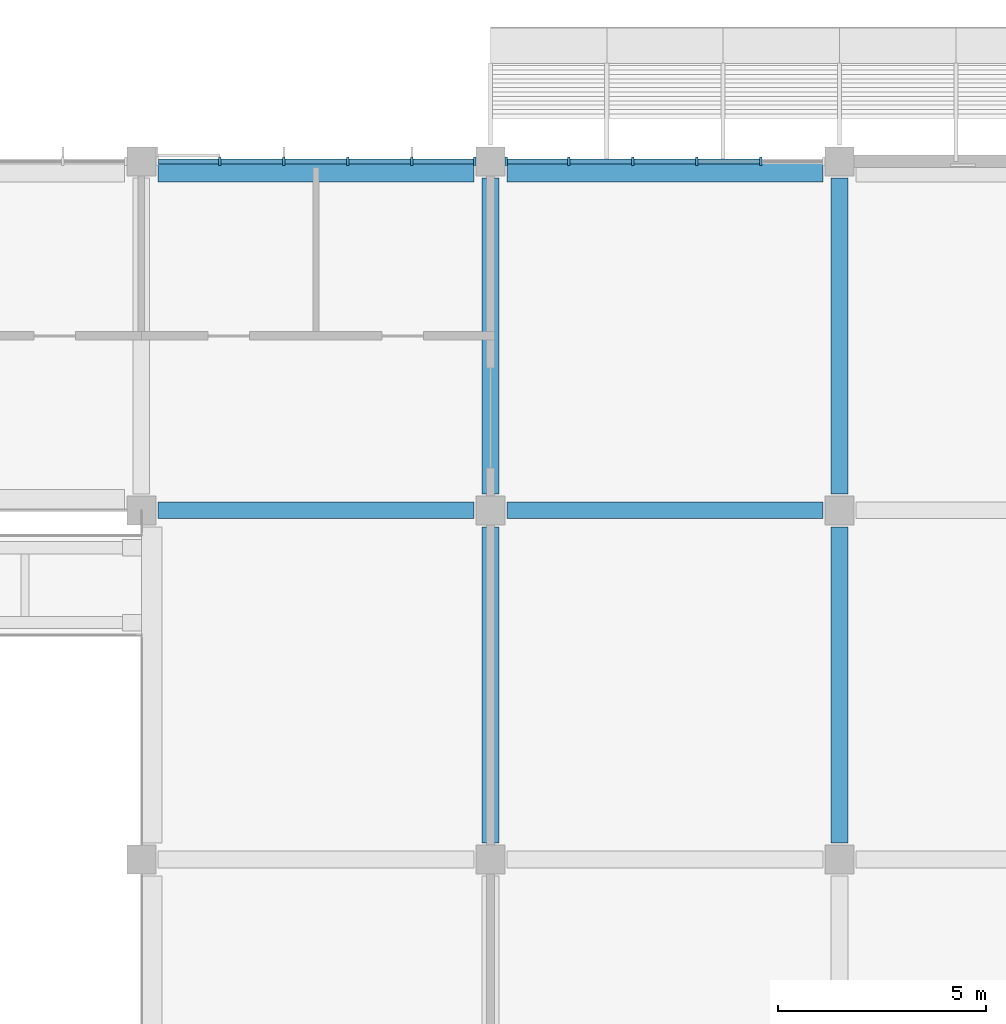
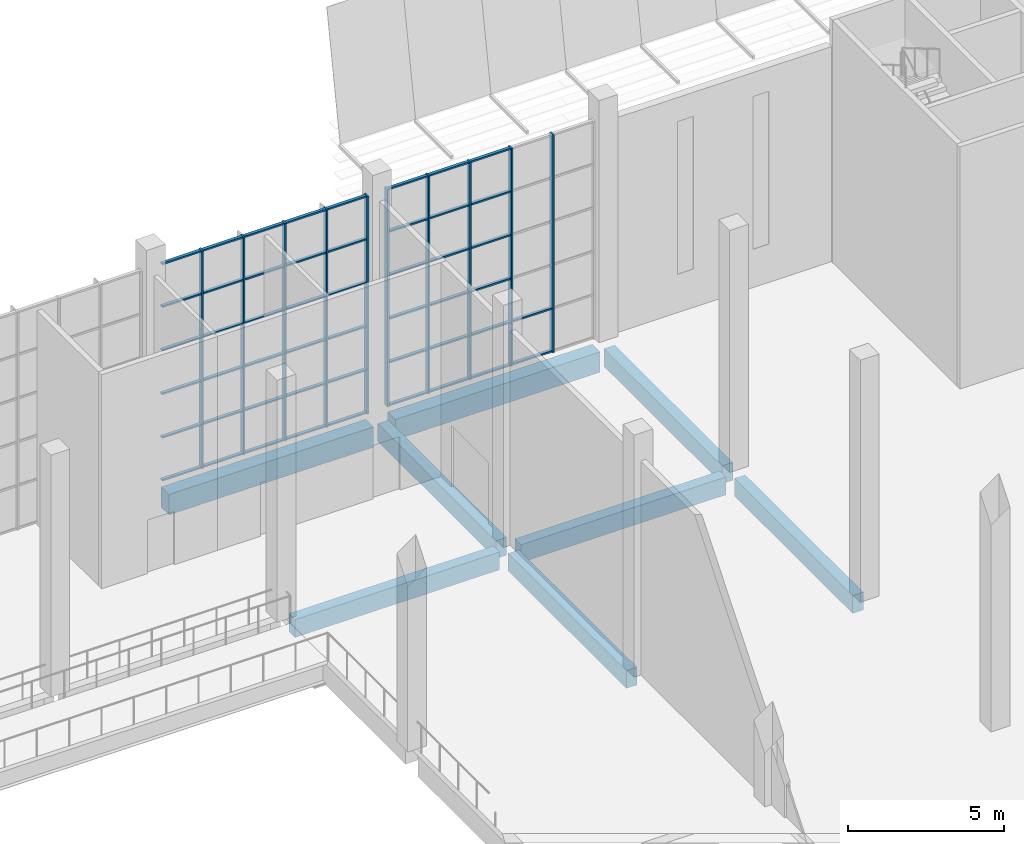
# One storey, part 26 of 114: 60 members, 8 beams, 2 elements without a shape of their own.
"""IFC4 building model written with IfcOpenShell, lengths in metres."""

from ifc_helpers import new_model, si_unit, direction, frame, origin, origin_2d, place, context, subcontext, project, spatial, rectangle, extrude, material, material_profile, profile_set, type_object, element, aggregate, save


model = new_model("IFC4")

# Units and contexts
model_context = context("Model", 3, precision=1e-05, world=origin(), true_north=direction((0.0, 1.0)))
body_context = subcontext(model_context, "Body", "Model", "MODEL_VIEW")
ifc_project = project(units=[si_unit("LENGTHUNIT", "METRE"), si_unit("AREAUNIT", "SQUARE_METRE"), si_unit("VOLUMEUNIT", "CUBIC_METRE"), si_unit("PLANEANGLEUNIT", "RADIAN"), si_unit("MASSUNIT", "GRAM", prefix="KILO")], contexts=[model_context])

# Site, building, storey
site_placement = place(None, origin())
site = spatial("IfcSite", under=ifc_project, at=site_placement, CompositionType="ELEMENT")
building_placement = place(site_placement, origin())
building = spatial("IfcBuilding", under=site, at=building_placement, Name="Almond Square Museum", CompositionType="ELEMENT")
storey_placement = place(building_placement, frame((0.0, 0.0, 10.5)))
storey = spatial("IfcBuildingStorey", under=building, at=storey_placement, Name="L02", CompositionType="ELEMENT", Elevation=10.5)

# Curtain wall, members
ifc_material_1 = material(Name="Aluminium and laminated glass", Category="aluminium")
curtain_wall_type = type_object("IfcCurtainWallType", Name="Unitised curtain wall 1500 module", PredefinedType="NOTDEFINED", material=ifc_material_1)
curtain_wall_1_placement = place(storey_placement, origin())
curtain_wall_1 = element("IfcCurtainWall", 1, at=curtain_wall_1_placement, inside=storey, type_object=curtain_wall_type, Name="Curtain wall CW-16", PredefinedType="NOTDEFINED")
ifc_material_2 = material(Name="Anodised aluminium", Category="aluminium")
ifc_material_profile_1 = material_profile(ifc_material_2, rectangle(XDim=0.199951171875, YDim=0.06005859375, at=origin_2d()))
ifc_profile_set_1 = profile_set([ifc_material_profile_1], Name="Anodised aluminium")
member_type_1 = type_object("IfcMemberType", Name="Aluminium mullion 60 x 200", PredefinedType="MULLION", material=ifc_profile_set_1)
member_1_placement = place(storey_placement, frame((107.179931640625, 109.199951171875, 0.0), z_axis=(0.0, 0.0, 1.0), x_axis=(0.0, 1.0, 0.0)))
member_1 = element("IfcMember", 2, at=member_1_placement, type_object=member_type_1, Name="CW-16 mullion 1", PredefinedType="MULLION", context=body_context, shape_type="SweptSolid", body=[
    extrude(rectangle(XDim=0.199951171875, YDim=0.06005859375, at=origin_2d()), origin(), (0.0, 0.0, 1.0), 8.550048828125),
])
member_2_placement = place(storey_placement, frame((108.68994140625, 109.199951171875, 0.0), z_axis=(0.0, 0.0, 1.0), x_axis=(0.0, 1.0, 0.0)))
member_2 = element("IfcMember", 3, at=member_2_placement, type_object=member_type_1, Name="CW-16 mullion 2", PredefinedType="MULLION", context=body_context, shape_type="SweptSolid", body=[
    extrude(rectangle(XDim=0.199951171875, YDim=0.06005859375, at=origin_2d()), origin(), (0.0, 0.0, 1.0), 8.550048828125),
])
member_3_placement = place(storey_placement, frame((110.22998046875, 109.199951171875, 0.0), z_axis=(0.0, 0.0, 1.0), x_axis=(0.0, 1.0, 0.0)))
member_3 = element("IfcMember", 4, at=member_3_placement, type_object=member_type_1, Name="CW-16 mullion 3", PredefinedType="MULLION", context=body_context, shape_type="SweptSolid", body=[
    extrude(rectangle(XDim=0.199951171875, YDim=0.06005859375, at=origin_2d()), origin(), (0.0, 0.0, 1.0), 8.550048828125),
])
member_4_placement = place(storey_placement, frame((111.77001953125, 109.199951171875, 0.0), z_axis=(0.0, 0.0, 1.0), x_axis=(0.0, 1.0, 0.0)))
member_4 = element("IfcMember", 5, at=member_4_placement, type_object=member_type_1, Name="CW-16 mullion 4", PredefinedType="MULLION", context=body_context, shape_type="SweptSolid", body=[
    extrude(rectangle(XDim=0.199951171875, YDim=0.06005859375, at=origin_2d()), origin(), (0.0, 0.0, 1.0), 8.550048828125),
])
member_5_placement = place(storey_placement, frame((113.31005859375, 109.199951171875, 0.0), z_axis=(0.0, 0.0, 1.0), x_axis=(0.0, 1.0, 0.0)))
member_5 = element("IfcMember", 6, at=member_5_placement, type_object=member_type_1, Name="CW-16 mullion 5", PredefinedType="MULLION", context=body_context, shape_type="SweptSolid", body=[
    extrude(rectangle(XDim=0.199951171875, YDim=0.06005859375, at=origin_2d()), origin(), (0.0, 0.0, 1.0), 8.550048828125),
])

curtain_wall_2_placement = place(storey_placement, origin())
curtain_wall_2 = element("IfcCurtainWall", 7, at=curtain_wall_2_placement, inside=storey, type_object=curtain_wall_type, Name="Curtain wall CW-17", PredefinedType="NOTDEFINED")
member_6_placement = place(storey_placement, frame((100.2900390625, 109.199951171875, 0.0), z_axis=(0.0, 0.0, 1.0), x_axis=(0.0, 1.0, 0.0)))
member_6 = element("IfcMember", 8, at=member_6_placement, type_object=member_type_1, Name="CW-17 mullion 2", PredefinedType="MULLION", context=body_context, shape_type="SweptSolid", body=[
    extrude(rectangle(XDim=0.199951171875, YDim=0.06005859375, at=origin_2d()), origin(), (0.0, 0.0, 1.0), 8.550048828125),
])
member_7_placement = place(storey_placement, frame((101.830078125, 109.199951171875, 0.0), z_axis=(0.0, 0.0, 1.0), x_axis=(0.0, 1.0, 0.0)))
member_7 = element("IfcMember", 9, at=member_7_placement, type_object=member_type_1, Name="CW-17 mullion 3", PredefinedType="MULLION", context=body_context, shape_type="SweptSolid", body=[
    extrude(rectangle(XDim=0.199951171875, YDim=0.06005859375, at=origin_2d()), origin(), (0.0, 0.0, 1.0), 8.550048828125),
])
member_8_placement = place(storey_placement, frame((103.3701171875, 109.199951171875, 0.0), z_axis=(0.0, 0.0, 1.0), x_axis=(0.0, 1.0, 0.0)))
member_8 = element("IfcMember", 10, at=member_8_placement, type_object=member_type_1, Name="CW-17 mullion 4", PredefinedType="MULLION", context=body_context, shape_type="SweptSolid", body=[
    extrude(rectangle(XDim=0.199951171875, YDim=0.06005859375, at=origin_2d()), origin(), (0.0, 0.0, 1.0), 8.550048828125),
])
member_9_placement = place(storey_placement, frame((104.909912109375, 109.199951171875, 0.0), z_axis=(0.0, 0.0, 1.0), x_axis=(0.0, 1.0, 0.0)))
member_9 = element("IfcMember", 11, at=member_9_placement, type_object=member_type_1, Name="CW-17 mullion 5", PredefinedType="MULLION", context=body_context, shape_type="SweptSolid", body=[
    extrude(rectangle(XDim=0.199951171875, YDim=0.06005859375, at=origin_2d()), origin(), (0.0, 0.0, 1.0), 8.550048828125),
])
member_10_placement = place(storey_placement, frame((106.419921875, 109.199951171875, 0.0), z_axis=(0.0, 0.0, 1.0), x_axis=(0.0, 1.0, 0.0)))
member_10 = element("IfcMember", 12, at=member_10_placement, type_object=member_type_1, Name="CW-17 mullion 6", PredefinedType="MULLION", context=body_context, shape_type="SweptSolid", body=[
    extrude(rectangle(XDim=0.199951171875, YDim=0.06005859375, at=origin_2d()), origin(), (0.0, 0.0, 1.0), 8.550048828125),
])

# Member
ifc_material_3 = material(Name="Anodised aluminium", Category="aluminium")
ifc_material_profile_2 = material_profile(ifc_material_3, rectangle(XDim=0.1201171875, YDim=0.06005859375, at=origin_2d()))
ifc_profile_set_2 = profile_set([ifc_material_profile_2], Name="Anodised aluminium")
member_type_2 = type_object("IfcMemberType", Name="Aluminium transom 60 x 120", PredefinedType="USERDEFINED", material=ifc_profile_set_2)
member_11_placement = place(storey_placement, frame((107.2099609375, 109.199951171875, 0.030029296875), z_axis=(1.0, 0.0, 0.0), x_axis=(0.0, 1.0, 0.0)))
member_11 = element("IfcMember", 13, at=member_11_placement, type_object=member_type_2, Name="CW-16 transom 1.1", ObjectType="TRANSOM", PredefinedType="USERDEFINED", context=body_context, shape_type="SweptSolid", body=[
    extrude(rectangle(XDim=0.1201171875, YDim=0.06005859375, at=origin_2d()), origin(), (0.0, 0.0, 1.0), 1.449951171875),
])

member_12_placement = place(storey_placement, frame((107.2099609375, 109.199951171875, 1.7099609375), z_axis=(1.0, 0.0, 0.0), x_axis=(0.0, 1.0, 0.0)))
member_12 = element("IfcMember", 14, at=member_12_placement, type_object=member_type_2, Name="CW-16 transom 1.2", ObjectType="TRANSOM", PredefinedType="USERDEFINED", context=body_context, shape_type="SweptSolid", body=[
    extrude(rectangle(XDim=0.1201171875, YDim=0.06005859375, at=origin_2d()), origin(), (0.0, 0.0, 1.0), 1.449951171875),
])

member_13_placement = place(storey_placement, frame((107.2099609375, 109.199951171875, 3.419921875), z_axis=(1.0, 0.0, 0.0), x_axis=(0.0, 1.0, 0.0)))
member_13 = element("IfcMember", 15, at=member_13_placement, type_object=member_type_2, Name="CW-16 transom 1.3", ObjectType="TRANSOM", PredefinedType="USERDEFINED", context=body_context, shape_type="SweptSolid", body=[
    extrude(rectangle(XDim=0.1201171875, YDim=0.06005859375, at=origin_2d()), origin(), (0.0, 0.0, 1.0), 1.449951171875),
])

member_14_placement = place(storey_placement, frame((107.2099609375, 109.199951171875, 5.1298828125), z_axis=(1.0, 0.0, 0.0), x_axis=(0.0, 1.0, 0.0)))
member_14 = element("IfcMember", 16, at=member_14_placement, type_object=member_type_2, Name="CW-16 transom 1.4", ObjectType="TRANSOM", PredefinedType="USERDEFINED", context=body_context, shape_type="SweptSolid", body=[
    extrude(rectangle(XDim=0.1201171875, YDim=0.06005859375, at=origin_2d()), origin(), (0.0, 0.0, 1.0), 1.449951171875),
])

member_15_placement = place(storey_placement, frame((107.2099609375, 109.199951171875, 6.840087890625), z_axis=(1.0, 0.0, 0.0), x_axis=(0.0, 1.0, 0.0)))
member_15 = element("IfcMember", 17, at=member_15_placement, type_object=member_type_2, Name="CW-16 transom 1.5", ObjectType="TRANSOM", PredefinedType="USERDEFINED", context=body_context, shape_type="SweptSolid", body=[
    extrude(rectangle(XDim=0.1201171875, YDim=0.06005859375, at=origin_2d()), origin(), (0.0, 0.0, 1.0), 1.449951171875),
])

member_16_placement = place(storey_placement, frame((107.2099609375, 109.199951171875, 8.52001953125), z_axis=(1.0, 0.0, 0.0), x_axis=(0.0, 1.0, 0.0)))
member_16 = element("IfcMember", 18, at=member_16_placement, type_object=member_type_2, Name="CW-16 transom 1.6", ObjectType="TRANSOM", PredefinedType="USERDEFINED", context=body_context, shape_type="SweptSolid", body=[
    extrude(rectangle(XDim=0.1201171875, YDim=0.06005859375, at=origin_2d()), origin(), (0.0, 0.0, 1.0), 1.449951171875),
])

member_17_placement = place(storey_placement, frame((108.719970703125, 109.199951171875, 0.030029296875), z_axis=(1.0, 0.0, 0.0), x_axis=(0.0, 1.0, 0.0)))
member_17 = element("IfcMember", 19, at=member_17_placement, type_object=member_type_2, Name="CW-16 transom 2.1", ObjectType="TRANSOM", PredefinedType="USERDEFINED", context=body_context, shape_type="SweptSolid", body=[
    extrude(rectangle(XDim=0.1201171875, YDim=0.06005859375, at=origin_2d()), origin(), (0.0, 0.0, 1.0), 1.47998046875),
])

member_18_placement = place(storey_placement, frame((108.719970703125, 109.199951171875, 1.7099609375), z_axis=(1.0, 0.0, 0.0), x_axis=(0.0, 1.0, 0.0)))
member_18 = element("IfcMember", 20, at=member_18_placement, type_object=member_type_2, Name="CW-16 transom 2.2", ObjectType="TRANSOM", PredefinedType="USERDEFINED", context=body_context, shape_type="SweptSolid", body=[
    extrude(rectangle(XDim=0.1201171875, YDim=0.06005859375, at=origin_2d()), origin(), (0.0, 0.0, 1.0), 1.47998046875),
])

member_19_placement = place(storey_placement, frame((108.719970703125, 109.199951171875, 3.419921875), z_axis=(1.0, 0.0, 0.0), x_axis=(0.0, 1.0, 0.0)))
member_19 = element("IfcMember", 21, at=member_19_placement, type_object=member_type_2, Name="CW-16 transom 2.3", ObjectType="TRANSOM", PredefinedType="USERDEFINED", context=body_context, shape_type="SweptSolid", body=[
    extrude(rectangle(XDim=0.1201171875, YDim=0.06005859375, at=origin_2d()), origin(), (0.0, 0.0, 1.0), 1.47998046875),
])

member_20_placement = place(storey_placement, frame((108.719970703125, 109.199951171875, 5.1298828125), z_axis=(1.0, 0.0, 0.0), x_axis=(0.0, 1.0, 0.0)))
member_20 = element("IfcMember", 22, at=member_20_placement, type_object=member_type_2, Name="CW-16 transom 2.4", ObjectType="TRANSOM", PredefinedType="USERDEFINED", context=body_context, shape_type="SweptSolid", body=[
    extrude(rectangle(XDim=0.1201171875, YDim=0.06005859375, at=origin_2d()), origin(), (0.0, 0.0, 1.0), 1.47998046875),
])

member_21_placement = place(storey_placement, frame((108.719970703125, 109.199951171875, 6.840087890625), z_axis=(1.0, 0.0, 0.0), x_axis=(0.0, 1.0, 0.0)))
member_21 = element("IfcMember", 23, at=member_21_placement, type_object=member_type_2, Name="CW-16 transom 2.5", ObjectType="TRANSOM", PredefinedType="USERDEFINED", context=body_context, shape_type="SweptSolid", body=[
    extrude(rectangle(XDim=0.1201171875, YDim=0.06005859375, at=origin_2d()), origin(), (0.0, 0.0, 1.0), 1.47998046875),
])

member_22_placement = place(storey_placement, frame((108.719970703125, 109.199951171875, 8.52001953125), z_axis=(1.0, 0.0, 0.0), x_axis=(0.0, 1.0, 0.0)))
member_22 = element("IfcMember", 24, at=member_22_placement, type_object=member_type_2, Name="CW-16 transom 2.6", ObjectType="TRANSOM", PredefinedType="USERDEFINED", context=body_context, shape_type="SweptSolid", body=[
    extrude(rectangle(XDim=0.1201171875, YDim=0.06005859375, at=origin_2d()), origin(), (0.0, 0.0, 1.0), 1.47998046875),
])

member_23_placement = place(storey_placement, frame((110.260009765625, 109.199951171875, 0.030029296875), z_axis=(1.0, 0.0, 0.0), x_axis=(0.0, 1.0, 0.0)))
member_23 = element("IfcMember", 25, at=member_23_placement, type_object=member_type_2, Name="CW-16 transom 3.1", ObjectType="TRANSOM", PredefinedType="USERDEFINED", context=body_context, shape_type="SweptSolid", body=[
    extrude(rectangle(XDim=0.1201171875, YDim=0.06005859375, at=origin_2d()), origin(), (0.0, 0.0, 1.0), 1.47998046875),
])

member_24_placement = place(storey_placement, frame((110.260009765625, 109.199951171875, 1.7099609375), z_axis=(1.0, 0.0, 0.0), x_axis=(0.0, 1.0, 0.0)))
member_24 = element("IfcMember", 26, at=member_24_placement, type_object=member_type_2, Name="CW-16 transom 3.2", ObjectType="TRANSOM", PredefinedType="USERDEFINED", context=body_context, shape_type="SweptSolid", body=[
    extrude(rectangle(XDim=0.1201171875, YDim=0.06005859375, at=origin_2d()), origin(), (0.0, 0.0, 1.0), 1.47998046875),
])

member_25_placement = place(storey_placement, frame((110.260009765625, 109.199951171875, 3.419921875), z_axis=(1.0, 0.0, 0.0), x_axis=(0.0, 1.0, 0.0)))
member_25 = element("IfcMember", 27, at=member_25_placement, type_object=member_type_2, Name="CW-16 transom 3.3", ObjectType="TRANSOM", PredefinedType="USERDEFINED", context=body_context, shape_type="SweptSolid", body=[
    extrude(rectangle(XDim=0.1201171875, YDim=0.06005859375, at=origin_2d()), origin(), (0.0, 0.0, 1.0), 1.47998046875),
])

member_26_placement = place(storey_placement, frame((110.260009765625, 109.199951171875, 5.1298828125), z_axis=(1.0, 0.0, 0.0), x_axis=(0.0, 1.0, 0.0)))
member_26 = element("IfcMember", 28, at=member_26_placement, type_object=member_type_2, Name="CW-16 transom 3.4", ObjectType="TRANSOM", PredefinedType="USERDEFINED", context=body_context, shape_type="SweptSolid", body=[
    extrude(rectangle(XDim=0.1201171875, YDim=0.06005859375, at=origin_2d()), origin(), (0.0, 0.0, 1.0), 1.47998046875),
])

member_27_placement = place(storey_placement, frame((110.260009765625, 109.199951171875, 6.840087890625), z_axis=(1.0, 0.0, 0.0), x_axis=(0.0, 1.0, 0.0)))
member_27 = element("IfcMember", 29, at=member_27_placement, type_object=member_type_2, Name="CW-16 transom 3.5", ObjectType="TRANSOM", PredefinedType="USERDEFINED", context=body_context, shape_type="SweptSolid", body=[
    extrude(rectangle(XDim=0.1201171875, YDim=0.06005859375, at=origin_2d()), origin(), (0.0, 0.0, 1.0), 1.47998046875),
])

member_28_placement = place(storey_placement, frame((110.260009765625, 109.199951171875, 8.52001953125), z_axis=(1.0, 0.0, 0.0), x_axis=(0.0, 1.0, 0.0)))
member_28 = element("IfcMember", 30, at=member_28_placement, type_object=member_type_2, Name="CW-16 transom 3.6", ObjectType="TRANSOM", PredefinedType="USERDEFINED", context=body_context, shape_type="SweptSolid", body=[
    extrude(rectangle(XDim=0.1201171875, YDim=0.06005859375, at=origin_2d()), origin(), (0.0, 0.0, 1.0), 1.47998046875),
])

member_29_placement = place(storey_placement, frame((111.800048828125, 109.199951171875, 0.030029296875), z_axis=(1.0, 0.0, 0.0), x_axis=(0.0, 1.0, 0.0)))
member_29 = element("IfcMember", 31, at=member_29_placement, type_object=member_type_2, Name="CW-16 transom 4.1", ObjectType="TRANSOM", PredefinedType="USERDEFINED", context=body_context, shape_type="SweptSolid", body=[
    extrude(rectangle(XDim=0.1201171875, YDim=0.06005859375, at=origin_2d()), origin(), (0.0, 0.0, 1.0), 1.47998046875),
])

member_30_placement = place(storey_placement, frame((111.800048828125, 109.199951171875, 1.7099609375), z_axis=(1.0, 0.0, 0.0), x_axis=(0.0, 1.0, 0.0)))
member_30 = element("IfcMember", 32, at=member_30_placement, type_object=member_type_2, Name="CW-16 transom 4.2", ObjectType="TRANSOM", PredefinedType="USERDEFINED", context=body_context, shape_type="SweptSolid", body=[
    extrude(rectangle(XDim=0.1201171875, YDim=0.06005859375, at=origin_2d()), origin(), (0.0, 0.0, 1.0), 1.47998046875),
])

aggregate(curtain_wall_1, [member_1, member_2, member_3, member_4, member_5, member_11, member_12, member_13, member_14, member_15, member_16, member_17, member_18, member_19, member_20, member_21, member_22, member_23, member_24, member_25, member_26, member_27, member_28, member_29, member_30])

member_31_placement = place(storey_placement, frame((98.81005859375, 109.199951171875, 0.030029296875), z_axis=(1.0, 0.0, 0.0), x_axis=(0.0, 1.0, 0.0)))
member_31 = element("IfcMember", 33, at=member_31_placement, type_object=member_type_2, Name="CW-17 transom 1.1", ObjectType="TRANSOM", PredefinedType="USERDEFINED", context=body_context, shape_type="SweptSolid", body=[
    extrude(rectangle(XDim=0.1201171875, YDim=0.06005859375, at=origin_2d()), origin(), (0.0, 0.0, 1.0), 1.449951171875),
])

member_32_placement = place(storey_placement, frame((98.81005859375, 109.199951171875, 1.7099609375), z_axis=(1.0, 0.0, 0.0), x_axis=(0.0, 1.0, 0.0)))
member_32 = element("IfcMember", 34, at=member_32_placement, type_object=member_type_2, Name="CW-17 transom 1.2", ObjectType="TRANSOM", PredefinedType="USERDEFINED", context=body_context, shape_type="SweptSolid", body=[
    extrude(rectangle(XDim=0.1201171875, YDim=0.06005859375, at=origin_2d()), origin(), (0.0, 0.0, 1.0), 1.449951171875),
])

member_33_placement = place(storey_placement, frame((98.81005859375, 109.199951171875, 3.419921875), z_axis=(1.0, 0.0, 0.0), x_axis=(0.0, 1.0, 0.0)))
member_33 = element("IfcMember", 35, at=member_33_placement, type_object=member_type_2, Name="CW-17 transom 1.3", ObjectType="TRANSOM", PredefinedType="USERDEFINED", context=body_context, shape_type="SweptSolid", body=[
    extrude(rectangle(XDim=0.1201171875, YDim=0.06005859375, at=origin_2d()), origin(), (0.0, 0.0, 1.0), 1.449951171875),
])

member_34_placement = place(storey_placement, frame((98.81005859375, 109.199951171875, 5.1298828125), z_axis=(1.0, 0.0, 0.0), x_axis=(0.0, 1.0, 0.0)))
member_34 = element("IfcMember", 36, at=member_34_placement, type_object=member_type_2, Name="CW-17 transom 1.4", ObjectType="TRANSOM", PredefinedType="USERDEFINED", context=body_context, shape_type="SweptSolid", body=[
    extrude(rectangle(XDim=0.1201171875, YDim=0.06005859375, at=origin_2d()), origin(), (0.0, 0.0, 1.0), 1.449951171875),
])

member_35_placement = place(storey_placement, frame((98.81005859375, 109.199951171875, 6.840087890625), z_axis=(1.0, 0.0, 0.0), x_axis=(0.0, 1.0, 0.0)))
member_35 = element("IfcMember", 37, at=member_35_placement, type_object=member_type_2, Name="CW-17 transom 1.5", ObjectType="TRANSOM", PredefinedType="USERDEFINED", context=body_context, shape_type="SweptSolid", body=[
    extrude(rectangle(XDim=0.1201171875, YDim=0.06005859375, at=origin_2d()), origin(), (0.0, 0.0, 1.0), 1.449951171875),
])

member_36_placement = place(storey_placement, frame((98.81005859375, 109.199951171875, 8.52001953125), z_axis=(1.0, 0.0, 0.0), x_axis=(0.0, 1.0, 0.0)))
member_36 = element("IfcMember", 38, at=member_36_placement, type_object=member_type_2, Name="CW-17 transom 1.6", ObjectType="TRANSOM", PredefinedType="USERDEFINED", context=body_context, shape_type="SweptSolid", body=[
    extrude(rectangle(XDim=0.1201171875, YDim=0.06005859375, at=origin_2d()), origin(), (0.0, 0.0, 1.0), 1.449951171875),
])

member_37_placement = place(storey_placement, frame((100.320068359375, 109.199951171875, 0.030029296875), z_axis=(1.0, 0.0, 0.0), x_axis=(0.0, 1.0, 0.0)))
member_37 = element("IfcMember", 39, at=member_37_placement, type_object=member_type_2, Name="CW-17 transom 2.1", ObjectType="TRANSOM", PredefinedType="USERDEFINED", context=body_context, shape_type="SweptSolid", body=[
    extrude(rectangle(XDim=0.1201171875, YDim=0.06005859375, at=origin_2d()), origin(), (0.0, 0.0, 1.0), 1.47998046875),
])

member_38_placement = place(storey_placement, frame((100.320068359375, 109.199951171875, 1.7099609375), z_axis=(1.0, 0.0, 0.0), x_axis=(0.0, 1.0, 0.0)))
member_38 = element("IfcMember", 40, at=member_38_placement, type_object=member_type_2, Name="CW-17 transom 2.2", ObjectType="TRANSOM", PredefinedType="USERDEFINED", context=body_context, shape_type="SweptSolid", body=[
    extrude(rectangle(XDim=0.1201171875, YDim=0.06005859375, at=origin_2d()), origin(), (0.0, 0.0, 1.0), 1.47998046875),
])

member_39_placement = place(storey_placement, frame((100.320068359375, 109.199951171875, 3.419921875), z_axis=(1.0, 0.0, 0.0), x_axis=(0.0, 1.0, 0.0)))
member_39 = element("IfcMember", 41, at=member_39_placement, type_object=member_type_2, Name="CW-17 transom 2.3", ObjectType="TRANSOM", PredefinedType="USERDEFINED", context=body_context, shape_type="SweptSolid", body=[
    extrude(rectangle(XDim=0.1201171875, YDim=0.06005859375, at=origin_2d()), origin(), (0.0, 0.0, 1.0), 1.47998046875),
])

member_40_placement = place(storey_placement, frame((100.320068359375, 109.199951171875, 5.1298828125), z_axis=(1.0, 0.0, 0.0), x_axis=(0.0, 1.0, 0.0)))
member_40 = element("IfcMember", 42, at=member_40_placement, type_object=member_type_2, Name="CW-17 transom 2.4", ObjectType="TRANSOM", PredefinedType="USERDEFINED", context=body_context, shape_type="SweptSolid", body=[
    extrude(rectangle(XDim=0.1201171875, YDim=0.06005859375, at=origin_2d()), origin(), (0.0, 0.0, 1.0), 1.47998046875),
])

member_41_placement = place(storey_placement, frame((100.320068359375, 109.199951171875, 6.840087890625), z_axis=(1.0, 0.0, 0.0), x_axis=(0.0, 1.0, 0.0)))
member_41 = element("IfcMember", 43, at=member_41_placement, type_object=member_type_2, Name="CW-17 transom 2.5", ObjectType="TRANSOM", PredefinedType="USERDEFINED", context=body_context, shape_type="SweptSolid", body=[
    extrude(rectangle(XDim=0.1201171875, YDim=0.06005859375, at=origin_2d()), origin(), (0.0, 0.0, 1.0), 1.47998046875),
])

member_42_placement = place(storey_placement, frame((100.320068359375, 109.199951171875, 8.52001953125), z_axis=(1.0, 0.0, 0.0), x_axis=(0.0, 1.0, 0.0)))
member_42 = element("IfcMember", 44, at=member_42_placement, type_object=member_type_2, Name="CW-17 transom 2.6", ObjectType="TRANSOM", PredefinedType="USERDEFINED", context=body_context, shape_type="SweptSolid", body=[
    extrude(rectangle(XDim=0.1201171875, YDim=0.06005859375, at=origin_2d()), origin(), (0.0, 0.0, 1.0), 1.47998046875),
])

member_43_placement = place(storey_placement, frame((101.860107421875, 109.199951171875, 0.030029296875), z_axis=(1.0, 0.0, 0.0), x_axis=(0.0, 1.0, 0.0)))
member_43 = element("IfcMember", 45, at=member_43_placement, type_object=member_type_2, Name="CW-17 transom 3.1", ObjectType="TRANSOM", PredefinedType="USERDEFINED", context=body_context, shape_type="SweptSolid", body=[
    extrude(rectangle(XDim=0.1201171875, YDim=0.06005859375, at=origin_2d()), origin(), (0.0, 0.0, 1.0), 1.47998046875),
])

member_44_placement = place(storey_placement, frame((101.860107421875, 109.199951171875, 1.7099609375), z_axis=(1.0, 0.0, 0.0), x_axis=(0.0, 1.0, 0.0)))
member_44 = element("IfcMember", 46, at=member_44_placement, type_object=member_type_2, Name="CW-17 transom 3.2", ObjectType="TRANSOM", PredefinedType="USERDEFINED", context=body_context, shape_type="SweptSolid", body=[
    extrude(rectangle(XDim=0.1201171875, YDim=0.06005859375, at=origin_2d()), origin(), (0.0, 0.0, 1.0), 1.47998046875),
])

member_45_placement = place(storey_placement, frame((101.860107421875, 109.199951171875, 3.419921875), z_axis=(1.0, 0.0, 0.0), x_axis=(0.0, 1.0, 0.0)))
member_45 = element("IfcMember", 47, at=member_45_placement, type_object=member_type_2, Name="CW-17 transom 3.3", ObjectType="TRANSOM", PredefinedType="USERDEFINED", context=body_context, shape_type="SweptSolid", body=[
    extrude(rectangle(XDim=0.1201171875, YDim=0.06005859375, at=origin_2d()), origin(), (0.0, 0.0, 1.0), 1.47998046875),
])

member_46_placement = place(storey_placement, frame((101.860107421875, 109.199951171875, 5.1298828125), z_axis=(1.0, 0.0, 0.0), x_axis=(0.0, 1.0, 0.0)))
member_46 = element("IfcMember", 48, at=member_46_placement, type_object=member_type_2, Name="CW-17 transom 3.4", ObjectType="TRANSOM", PredefinedType="USERDEFINED", context=body_context, shape_type="SweptSolid", body=[
    extrude(rectangle(XDim=0.1201171875, YDim=0.06005859375, at=origin_2d()), origin(), (0.0, 0.0, 1.0), 1.47998046875),
])

member_47_placement = place(storey_placement, frame((101.860107421875, 109.199951171875, 6.840087890625), z_axis=(1.0, 0.0, 0.0), x_axis=(0.0, 1.0, 0.0)))
member_47 = element("IfcMember", 49, at=member_47_placement, type_object=member_type_2, Name="CW-17 transom 3.5", ObjectType="TRANSOM", PredefinedType="USERDEFINED", context=body_context, shape_type="SweptSolid", body=[
    extrude(rectangle(XDim=0.1201171875, YDim=0.06005859375, at=origin_2d()), origin(), (0.0, 0.0, 1.0), 1.47998046875),
])

member_48_placement = place(storey_placement, frame((101.860107421875, 109.199951171875, 8.52001953125), z_axis=(1.0, 0.0, 0.0), x_axis=(0.0, 1.0, 0.0)))
member_48 = element("IfcMember", 50, at=member_48_placement, type_object=member_type_2, Name="CW-17 transom 3.6", ObjectType="TRANSOM", PredefinedType="USERDEFINED", context=body_context, shape_type="SweptSolid", body=[
    extrude(rectangle(XDim=0.1201171875, YDim=0.06005859375, at=origin_2d()), origin(), (0.0, 0.0, 1.0), 1.47998046875),
])

member_49_placement = place(storey_placement, frame((103.39990234375, 109.199951171875, 0.030029296875), z_axis=(1.0, 0.0, 0.0), x_axis=(0.0, 1.0, 0.0)))
member_49 = element("IfcMember", 51, at=member_49_placement, type_object=member_type_2, Name="CW-17 transom 4.1", ObjectType="TRANSOM", PredefinedType="USERDEFINED", context=body_context, shape_type="SweptSolid", body=[
    extrude(rectangle(XDim=0.1201171875, YDim=0.06005859375, at=origin_2d()), origin(), (0.0, 0.0, 1.0), 1.47998046875),
])

member_50_placement = place(storey_placement, frame((103.39990234375, 109.199951171875, 1.7099609375), z_axis=(1.0, 0.0, 0.0), x_axis=(0.0, 1.0, 0.0)))
member_50 = element("IfcMember", 52, at=member_50_placement, type_object=member_type_2, Name="CW-17 transom 4.2", ObjectType="TRANSOM", PredefinedType="USERDEFINED", context=body_context, shape_type="SweptSolid", body=[
    extrude(rectangle(XDim=0.1201171875, YDim=0.06005859375, at=origin_2d()), origin(), (0.0, 0.0, 1.0), 1.47998046875),
])

member_51_placement = place(storey_placement, frame((103.39990234375, 109.199951171875, 3.419921875), z_axis=(1.0, 0.0, 0.0), x_axis=(0.0, 1.0, 0.0)))
member_51 = element("IfcMember", 53, at=member_51_placement, type_object=member_type_2, Name="CW-17 transom 4.3", ObjectType="TRANSOM", PredefinedType="USERDEFINED", context=body_context, shape_type="SweptSolid", body=[
    extrude(rectangle(XDim=0.1201171875, YDim=0.06005859375, at=origin_2d()), origin(), (0.0, 0.0, 1.0), 1.47998046875),
])

member_52_placement = place(storey_placement, frame((103.39990234375, 109.199951171875, 5.1298828125), z_axis=(1.0, 0.0, 0.0), x_axis=(0.0, 1.0, 0.0)))
member_52 = element("IfcMember", 54, at=member_52_placement, type_object=member_type_2, Name="CW-17 transom 4.4", ObjectType="TRANSOM", PredefinedType="USERDEFINED", context=body_context, shape_type="SweptSolid", body=[
    extrude(rectangle(XDim=0.1201171875, YDim=0.06005859375, at=origin_2d()), origin(), (0.0, 0.0, 1.0), 1.47998046875),
])

member_53_placement = place(storey_placement, frame((103.39990234375, 109.199951171875, 6.840087890625), z_axis=(1.0, 0.0, 0.0), x_axis=(0.0, 1.0, 0.0)))
member_53 = element("IfcMember", 55, at=member_53_placement, type_object=member_type_2, Name="CW-17 transom 4.5", ObjectType="TRANSOM", PredefinedType="USERDEFINED", context=body_context, shape_type="SweptSolid", body=[
    extrude(rectangle(XDim=0.1201171875, YDim=0.06005859375, at=origin_2d()), origin(), (0.0, 0.0, 1.0), 1.47998046875),
])

member_54_placement = place(storey_placement, frame((103.39990234375, 109.199951171875, 8.52001953125), z_axis=(1.0, 0.0, 0.0), x_axis=(0.0, 1.0, 0.0)))
member_54 = element("IfcMember", 56, at=member_54_placement, type_object=member_type_2, Name="CW-17 transom 4.6", ObjectType="TRANSOM", PredefinedType="USERDEFINED", context=body_context, shape_type="SweptSolid", body=[
    extrude(rectangle(XDim=0.1201171875, YDim=0.06005859375, at=origin_2d()), origin(), (0.0, 0.0, 1.0), 1.47998046875),
])

member_55_placement = place(storey_placement, frame((104.93994140625, 109.199951171875, 0.030029296875), z_axis=(1.0, 0.0, 0.0), x_axis=(0.0, 1.0, 0.0)))
member_55 = element("IfcMember", 57, at=member_55_placement, type_object=member_type_2, Name="CW-17 transom 5.1", ObjectType="TRANSOM", PredefinedType="USERDEFINED", context=body_context, shape_type="SweptSolid", body=[
    extrude(rectangle(XDim=0.1201171875, YDim=0.06005859375, at=origin_2d()), origin(), (0.0, 0.0, 1.0), 1.449951171875),
])

member_56_placement = place(storey_placement, frame((104.93994140625, 109.199951171875, 1.7099609375), z_axis=(1.0, 0.0, 0.0), x_axis=(0.0, 1.0, 0.0)))
member_56 = element("IfcMember", 58, at=member_56_placement, type_object=member_type_2, Name="CW-17 transom 5.2", ObjectType="TRANSOM", PredefinedType="USERDEFINED", context=body_context, shape_type="SweptSolid", body=[
    extrude(rectangle(XDim=0.1201171875, YDim=0.06005859375, at=origin_2d()), origin(), (0.0, 0.0, 1.0), 1.449951171875),
])

member_57_placement = place(storey_placement, frame((104.93994140625, 109.199951171875, 3.419921875), z_axis=(1.0, 0.0, 0.0), x_axis=(0.0, 1.0, 0.0)))
member_57 = element("IfcMember", 59, at=member_57_placement, type_object=member_type_2, Name="CW-17 transom 5.3", ObjectType="TRANSOM", PredefinedType="USERDEFINED", context=body_context, shape_type="SweptSolid", body=[
    extrude(rectangle(XDim=0.1201171875, YDim=0.06005859375, at=origin_2d()), origin(), (0.0, 0.0, 1.0), 1.449951171875),
])

member_58_placement = place(storey_placement, frame((104.93994140625, 109.199951171875, 5.1298828125), z_axis=(1.0, 0.0, 0.0), x_axis=(0.0, 1.0, 0.0)))
member_58 = element("IfcMember", 60, at=member_58_placement, type_object=member_type_2, Name="CW-17 transom 5.4", ObjectType="TRANSOM", PredefinedType="USERDEFINED", context=body_context, shape_type="SweptSolid", body=[
    extrude(rectangle(XDim=0.1201171875, YDim=0.06005859375, at=origin_2d()), origin(), (0.0, 0.0, 1.0), 1.449951171875),
])

member_59_placement = place(storey_placement, frame((104.93994140625, 109.199951171875, 6.840087890625), z_axis=(1.0, 0.0, 0.0), x_axis=(0.0, 1.0, 0.0)))
member_59 = element("IfcMember", 61, at=member_59_placement, type_object=member_type_2, Name="CW-17 transom 5.5", ObjectType="TRANSOM", PredefinedType="USERDEFINED", context=body_context, shape_type="SweptSolid", body=[
    extrude(rectangle(XDim=0.1201171875, YDim=0.06005859375, at=origin_2d()), origin(), (0.0, 0.0, 1.0), 1.449951171875),
])

member_60_placement = place(storey_placement, frame((104.93994140625, 109.199951171875, 8.52001953125), z_axis=(1.0, 0.0, 0.0), x_axis=(0.0, 1.0, 0.0)))
member_60 = element("IfcMember", 62, at=member_60_placement, type_object=member_type_2, Name="CW-17 transom 5.6", ObjectType="TRANSOM", PredefinedType="USERDEFINED", context=body_context, shape_type="SweptSolid", body=[
    extrude(rectangle(XDim=0.1201171875, YDim=0.06005859375, at=origin_2d()), origin(), (0.0, 0.0, 1.0), 1.449951171875),
])

aggregate(curtain_wall_2, [member_6, member_7, member_8, member_9, member_10, member_31, member_32, member_33, member_34, member_35, member_36, member_37, member_38, member_39, member_40, member_41, member_42, member_43, member_44, member_45, member_46, member_47, member_48, member_49, member_50, member_51, member_52, member_53, member_54, member_55, member_56, member_57, member_58, member_59, member_60])

# Beams
ifc_material_4 = material(Name="Concrete C40/50", Category="concrete")
ifc_material_profile_3 = material_profile(ifc_material_4, rectangle(XDim=0.39990234375, YDim=0.699951171875, at=origin_2d()))
ifc_profile_set_3 = profile_set([ifc_material_profile_3], Name="Concrete C40/50")
beam_type_1 = type_object("IfcBeamType", Name="RC beam 400 x 700 C40/50", PredefinedType="BEAM", material=ifc_profile_set_3)
beam_1_placement = place(storey_placement, frame((98.800048828125, 100.800048828125, -0.60009765625), z_axis=(1.0, 0.0, 0.0), x_axis=(0.0, 1.0, 0.0)))
element("IfcBeam", 63, at=beam_1_placement, inside=storey, type_object=beam_type_1, Name="Beam M 13-14 L02", PredefinedType="BEAM", context=body_context, shape_type="SweptSolid", body=[
    extrude(rectangle(XDim=0.39990234375, YDim=0.699951171875, at=origin_2d()), origin(), (0.0, 0.0, 1.0), 7.599853515625),
])
beam_2_placement = place(storey_placement, frame((107.199951171875, 100.800048828125, -0.60009765625), z_axis=(1.0, 0.0, 0.0), x_axis=(0.0, 1.0, 0.0)))
element("IfcBeam", 64, at=beam_2_placement, inside=storey, type_object=beam_type_1, Name="Beam M 14-15 L02", PredefinedType="BEAM", context=body_context, shape_type="SweptSolid", body=[
    extrude(rectangle(XDim=0.39990234375, YDim=0.699951171875, at=origin_2d()), origin(), (0.0, 0.0, 1.0), 7.60009765625),
])
beam_3_placement = place(storey_placement, frame((106.800048828125, 92.800048828125, -0.60009765625), z_axis=(0.0, 1.0, 0.0), x_axis=(-1.0, 0.0, 0.0)))
element("IfcBeam", 65, at=beam_3_placement, inside=storey, type_object=beam_type_1, Name="Beam 14 L-M L02", PredefinedType="BEAM", context=body_context, shape_type="SweptSolid", body=[
    extrude(rectangle(XDim=0.39990234375, YDim=0.699951171875, at=origin_2d()), origin(), (0.0, 0.0, 1.0), 7.599853515625),
])
beam_4_placement = place(storey_placement, frame((106.800048828125, 101.199951171875, -0.60009765625), z_axis=(0.0, 1.0, 0.0), x_axis=(-1.0, 0.0, 0.0)))
element("IfcBeam", 66, at=beam_4_placement, inside=storey, type_object=beam_type_1, Name="Beam 14 M-N L02", PredefinedType="BEAM", context=body_context, shape_type="SweptSolid", body=[
    extrude(rectangle(XDim=0.39990234375, YDim=0.699951171875, at=origin_2d()), origin(), (0.0, 0.0, 1.0), 7.60009765625),
])
beam_5_placement = place(storey_placement, frame((115.199951171875, 92.800048828125, -0.60009765625), z_axis=(0.0, 1.0, 0.0), x_axis=(-1.0, 0.0, 0.0)))
element("IfcBeam", 67, at=beam_5_placement, inside=storey, type_object=beam_type_1, Name="Beam 15 L-M L02", PredefinedType="BEAM", context=body_context, shape_type="SweptSolid", body=[
    extrude(rectangle(XDim=0.39990234375, YDim=0.699951171875, at=origin_2d()), origin(), (0.0, 0.0, 1.0), 7.599853515625),
])
beam_6_placement = place(storey_placement, frame((115.199951171875, 101.199951171875, -0.60009765625), z_axis=(0.0, 1.0, 0.0), x_axis=(-1.0, 0.0, 0.0)))
element("IfcBeam", 68, at=beam_6_placement, inside=storey, type_object=beam_type_1, Name="Beam 15 M-N L02", PredefinedType="BEAM", context=body_context, shape_type="SweptSolid", body=[
    extrude(rectangle(XDim=0.39990234375, YDim=0.699951171875, at=origin_2d()), origin(), (0.0, 0.0, 1.0), 7.60009765625),
])
ifc_material_5 = material(Name="Concrete C40/50", Category="concrete")
ifc_material_profile_4 = material_profile(ifc_material_5, rectangle(XDim=0.5, YDim=0.800048828125, at=origin_2d()))
ifc_profile_set_4 = profile_set([ifc_material_profile_4], Name="Concrete C40/50")
beam_type_2 = type_object("IfcBeamType", Name="RC edge beam 500 x 800 C40/50", PredefinedType="BEAM", material=ifc_profile_set_4)
beam_7_placement = place(storey_placement, frame((98.800048828125, 108.949951171875, -0.64990234375), z_axis=(1.0, 0.0, 0.0), x_axis=(0.0, 1.0, 0.0)))
element("IfcBeam", 69, at=beam_7_placement, inside=storey, type_object=beam_type_2, Name="Edge beam N 13-14 L02", PredefinedType="BEAM", context=body_context, shape_type="SweptSolid", body=[
    extrude(rectangle(XDim=0.5, YDim=0.800048828125, at=origin_2d()), origin(), (0.0, 0.0, 1.0), 7.599853515625),
])
beam_8_placement = place(storey_placement, frame((107.199951171875, 108.949951171875, -0.64990234375), z_axis=(1.0, 0.0, 0.0), x_axis=(0.0, 1.0, 0.0)))
element("IfcBeam", 70, at=beam_8_placement, inside=storey, type_object=beam_type_2, Name="Edge beam N 14-15 L02", PredefinedType="BEAM", context=body_context, shape_type="SweptSolid", body=[
    extrude(rectangle(XDim=0.5, YDim=0.800048828125, at=origin_2d()), origin(), (0.0, 0.0, 1.0), 7.60009765625),
])

save(model, "model.ifc")
